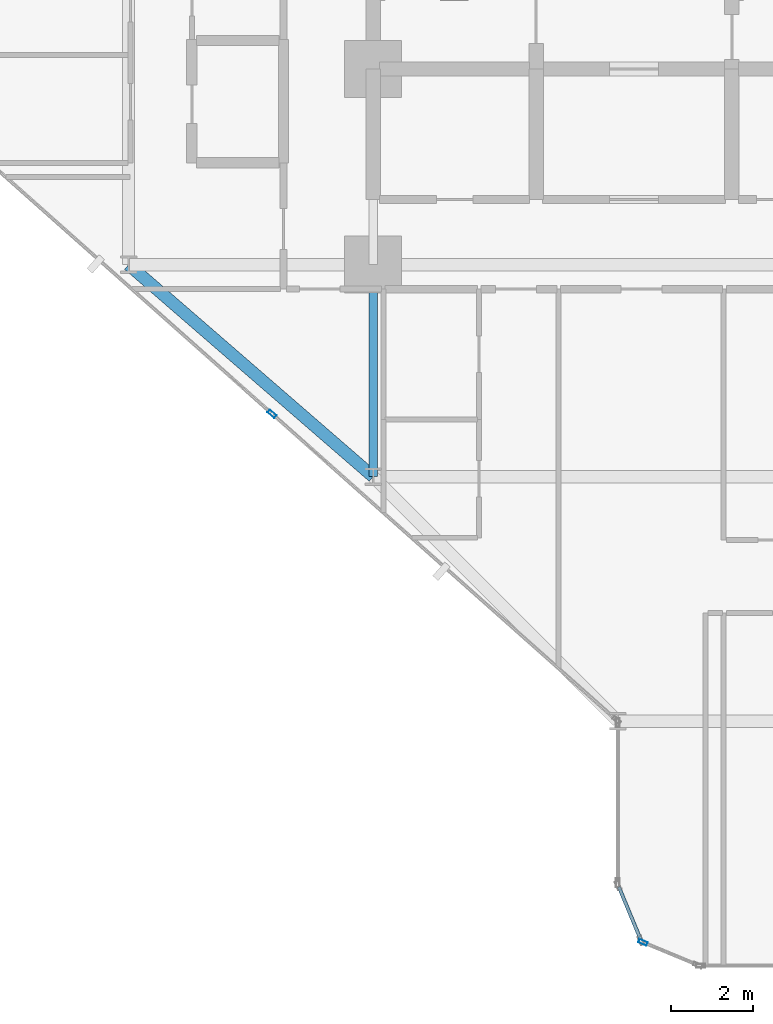
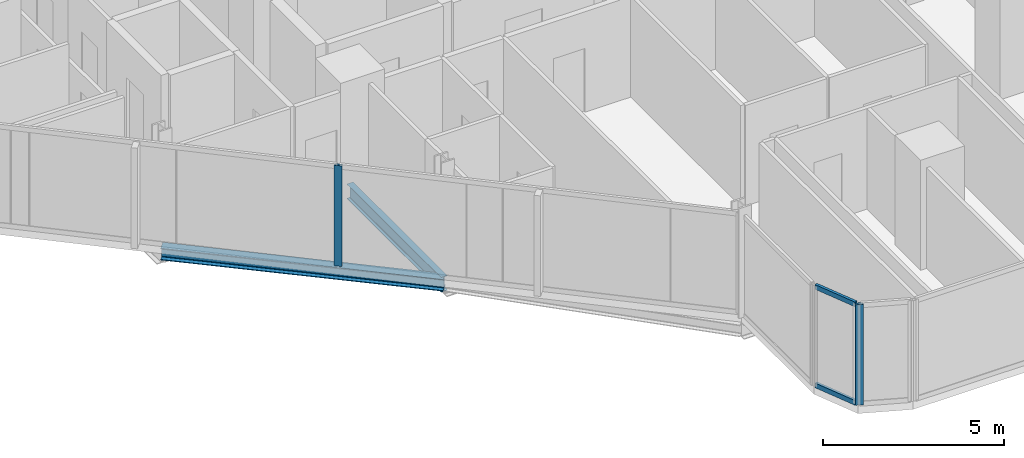
# One storey, part 2 of 35: 4 members, 2 beams, 3 elements without a shape of their own.
"""IFC4 building model written with IfcOpenShell, lengths in metres."""

from ifc_helpers import new_model, si_unit, direction, frame, origin, origin_2d, place, context, subcontext, project, spatial, hollow_rectangle, i_section, extrude, material, layer, layer_set, material_profile, profile_set, type_object, element, aggregate, save


model = new_model("IFC4")

# Units and contexts
model_context = context("Model", 3, precision=1e-05, world=origin(), true_north=direction((0.0, 1.0)))
body_context = subcontext(model_context, "Body", "Model", "MODEL_VIEW")
ifc_project = project(units=[si_unit("LENGTHUNIT", "METRE"), si_unit("AREAUNIT", "SQUARE_METRE"), si_unit("VOLUMEUNIT", "CUBIC_METRE"), si_unit("PLANEANGLEUNIT", "RADIAN"), si_unit("MASSUNIT", "GRAM", prefix="KILO")], contexts=[model_context])

# Site, building, storey
site_placement = place(None, origin())
site = spatial("IfcSite", under=ifc_project, at=site_placement, CompositionType="ELEMENT")
building_placement = place(site_placement, origin())
building = spatial("IfcBuilding", under=site, at=building_placement, Name="Keshet Zoharim Tower", CompositionType="ELEMENT")
storey_placement = place(building_placement, frame((0.0, 0.0, 24.0)))
storey = spatial("IfcBuildingStorey", under=building, at=storey_placement, Name="L04", CompositionType="ELEMENT", Elevation=24.0)

# Beams
ifc_material_1 = material(Name="Steel S355", Category="steel")
ifc_material_profile_1 = material_profile(ifc_material_1, i_section(OverallWidth=0.199951171875, OverallDepth=0.5, WebThickness=0.01025390625, FlangeThickness=0.01611328125, FilletRadius=0.02099609375, at=origin_2d()), Name="IPE500")
ifc_profile_set_1 = profile_set([ifc_material_profile_1], Name="Steel S355")
beam_type_1 = type_object("IfcBeamType", Name="BM-PRI-IP500", PredefinedType="BEAM", material=ifc_profile_set_1)
beam_1_placement = place(storey_placement, frame((15.0, 12.699951171875, -0.56494140625), z_axis=(0.0, 1.0, 0.0), x_axis=(-1.0, 0.0, 0.0)))
element("IfcBeam", 1, at=beam_1_placement, inside=storey, type_object=beam_type_1, Name="L04 Primary Girder Y-002", PredefinedType="BEAM", context=body_context, shape_type="SweptSolid", body=[
    extrude(i_section(OverallWidth=0.199951171875, OverallDepth=0.5, WebThickness=0.01025390625, FlangeThickness=0.01611328125, FilletRadius=0.02099609375, at=origin_2d()), origin(), (0.0, 0.0, 1.0), 5.199951171875),
])
ifc_material_profile_2 = material_profile(ifc_material_1, i_section(OverallWidth=0.300048828125, OverallDepth=0.39990234375, WebThickness=0.013427734375, FlangeThickness=0.02392578125, FilletRadius=0.027099609375, at=origin_2d()), Name="HEB400")
ifc_profile_set_2 = profile_set([ifc_material_profile_2], Name="Steel S355")
beam_type_2 = type_object("IfcBeamType", Name="BM-SPN-HB400", PredefinedType="SPANDREL", material=ifc_profile_set_2)
beam_2_placement = place(storey_placement, frame((9.0, 17.89990234375, -0.514892578125), z_axis=(0.755692126483, -0.654927026447, 0.0), x_axis=(0.654927026447, 0.755692126483, 0.0)))
element("IfcBeam", 2, at=beam_2_placement, inside=storey, type_object=beam_type_2, Name="L04 Perimeter Spandrel Beam 02", PredefinedType="SPANDREL", context=body_context, shape_type="SweptSolid", body=[
    extrude(i_section(OverallWidth=0.300048828125, OverallDepth=0.39990234375, WebThickness=0.013427734375, FlangeThickness=0.02392578125, FilletRadius=0.027099609375, at=origin_2d()), origin(), (0.0, 0.0, 1.0), 7.939697265625),
])

# Curtain wall, member
ifc_material_2 = material(Name="Aluminium 6063-T6", Category="aluminium")
ifc_layer = layer(ifc_material_2, 0.179931640625)
ifc_layer_set = layer_set([ifc_layer], Name="Aluminium 6063-T6")
curtain_wall_type = type_object("IfcCurtainWallType", Name="CW-SYS-01", PredefinedType="NOTDEFINED", material=ifc_layer_set)
curtain_wall_1_placement = place(storey_placement, origin())
curtain_wall_1 = element("IfcCurtainWall", 3, at=curtain_wall_1_placement, inside=storey, type_object=curtain_wall_type, Name="L04 Unitised Curtain Wall 01", PredefinedType="NOTDEFINED")
ifc_material_profile_3 = material_profile(ifc_material_2, hollow_rectangle(XDim=0.090087890625, YDim=0.219970703125, WallThickness=0.0048828125, at=origin_2d()), Name="MUL-90x220")
ifc_profile_set_3 = profile_set([ifc_material_profile_3], Name="Aluminium 6063-T6")
member_type_1 = type_object("IfcMemberType", Name="CWM-M22", PredefinedType="MULLION", material=ifc_profile_set_3)
member_1_placement = place(storey_placement, frame((12.517578125, 14.239990234375, 0.0), z_axis=(0.0, 0.0, 1.0), x_axis=(-0.664363838836, -0.747409318679, 0.0)))
member_1 = element("IfcMember", 4, at=member_1_placement, type_object=member_type_1, Name="CW-01 mullion 2", PredefinedType="MULLION", context=body_context, shape_type="SweptSolid", body=[
    extrude(hollow_rectangle(XDim=0.090087890625, YDim=0.219970703125, WallThickness=0.0048828125, at=origin_2d()), origin(), (0.0, 0.0, 1.0), 3.385009765625),
])
aggregate(curtain_wall_1, [member_1])

curtain_wall_2_placement = place(storey_placement, origin())
curtain_wall_2 = element("IfcCurtainWall", 5, at=curtain_wall_2_placement, inside=storey, type_object=curtain_wall_type, Name="L04 Unitised Curtain Wall 27", PredefinedType="NOTDEFINED")
member_2_placement = place(storey_placement, frame((21.618408203125, 1.272705078125, 0.0), z_axis=(0.0, 0.0, 1.0), x_axis=(-0.382851849847, -0.92380975372, 0.0)))
member_2 = element("IfcMember", 6, at=member_2_placement, type_object=member_type_1, Name="CW-01 mullion 2", PredefinedType="MULLION", context=body_context, shape_type="SweptSolid", body=[
    extrude(hollow_rectangle(XDim=0.090087890625, YDim=0.219970703125, WallThickness=0.0048828125, at=origin_2d()), origin(), (0.0, 0.0, 1.0), 3.385009765625),
])
aggregate(curtain_wall_2, [member_2])

# Curtain wall, members
curtain_wall_3_placement = place(storey_placement, origin())
curtain_wall_3 = element("IfcCurtainWall", 7, at=curtain_wall_3_placement, inside=storey, type_object=curtain_wall_type, Name="L04 Unitised Curtain Wall 28", PredefinedType="NOTDEFINED")
ifc_material_profile_4 = material_profile(ifc_material_2, hollow_rectangle(XDim=0.0849609375, YDim=0.159912109375, WallThickness=0.00439453125, at=origin_2d()), Name="TRN-85x160")
ifc_profile_set_4 = profile_set([ifc_material_profile_4], Name="Aluminium 6063-T6")
member_type_2 = type_object("IfcMemberType", Name="CWT-T16", PredefinedType="USERDEFINED", material=ifc_profile_set_4)
member_3_placement = place(storey_placement, frame((21.55908203125, 1.3505859375, 0.034912109375), z_axis=(-0.382744609247, 0.923854189844, 0.0), x_axis=(-0.923854189844, -0.382744609247, 0.0)))
member_3 = element("IfcMember", 8, at=member_3_placement, type_object=member_type_2, Name="CW-01 transom 1.1", ObjectType="TRANSOM", PredefinedType="USERDEFINED", context=body_context, shape_type="SweptSolid", body=[
    extrude(hollow_rectangle(XDim=0.0849609375, YDim=0.159912109375, WallThickness=0.00439453125, at=origin_2d()), origin(), (0.0, 0.0, 1.0), 1.390625),
])
member_4_placement = place(storey_placement, frame((21.55908203125, 1.3505859375, 3.35009765625), z_axis=(-0.382744609247, 0.923854189844, 0.0), x_axis=(-0.923854189844, -0.382744609247, 0.0)))
member_4 = element("IfcMember", 9, at=member_4_placement, type_object=member_type_2, Name="CW-01 transom 1.2", ObjectType="TRANSOM", PredefinedType="USERDEFINED", context=body_context, shape_type="SweptSolid", body=[
    extrude(hollow_rectangle(XDim=0.0849609375, YDim=0.159912109375, WallThickness=0.00439453125, at=origin_2d()), origin(), (0.0, 0.0, 1.0), 1.390625),
])
aggregate(curtain_wall_3, [member_3, member_4])

save(model, "model.ifc")
